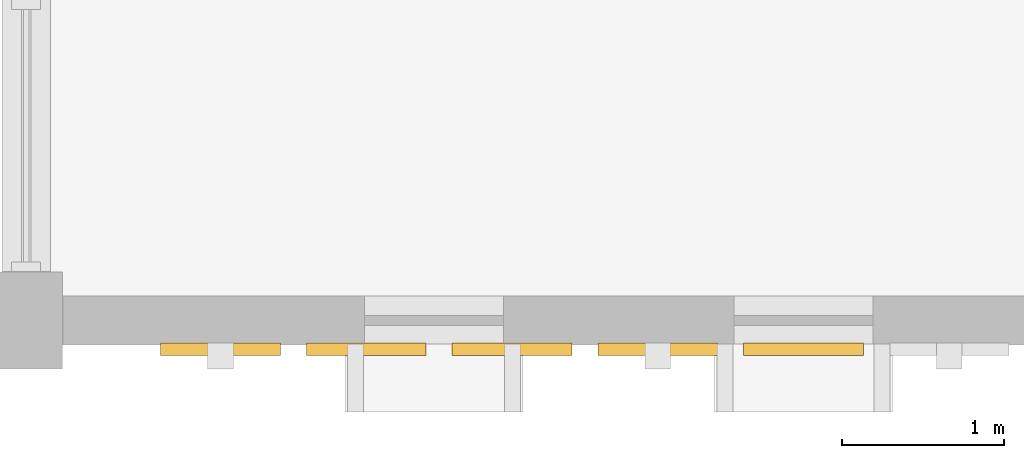
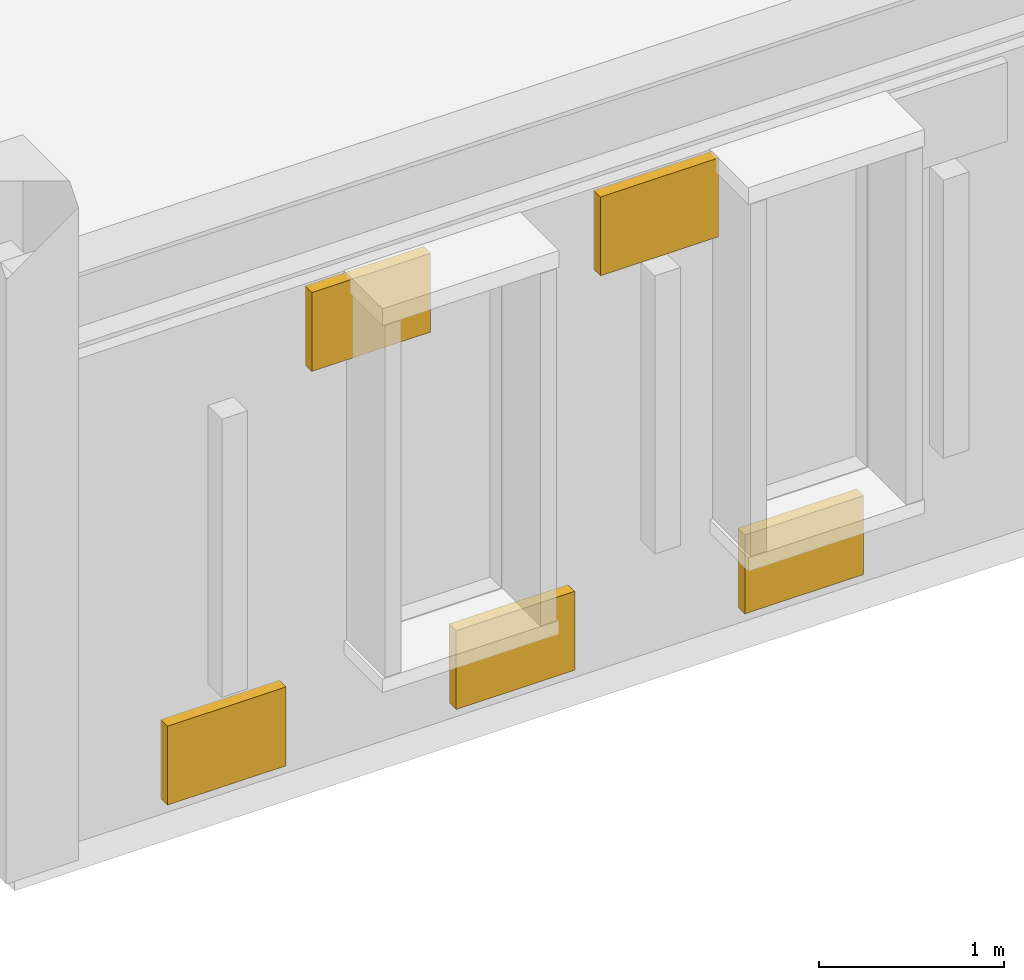
# One storey, part 65 of 69: 5 coverings.
"""IFC4 building model written with IfcOpenShell, lengths in metres."""

from ifc_helpers import new_model, si_unit, direction, frame, origin, origin_2d, place, context, subcontext, project, spatial, rectangle, extrude, material, layer, layer_set, type_object, element, save


model = new_model("IFC4")

# Units and contexts
model_context = context("Model", 3, precision=1e-05, world=origin(), true_north=direction((0.0, 1.0)))
body_context = subcontext(model_context, "Body", "Model", "MODEL_VIEW")
ifc_project = project(units=[si_unit("LENGTHUNIT", "METRE"), si_unit("AREAUNIT", "SQUARE_METRE"), si_unit("VOLUMEUNIT", "CUBIC_METRE"), si_unit("PLANEANGLEUNIT", "RADIAN"), si_unit("MASSUNIT", "GRAM", prefix="KILO")], contexts=[model_context])

# Site, building, storey
site_placement = place(None, origin())
site = spatial("IfcSite", under=ifc_project, at=site_placement, CompositionType="ELEMENT")
building_placement = place(site_placement, origin())
building = spatial("IfcBuilding", under=site, at=building_placement, Name="Nzembalo Square Collegiate School", CompositionType="ELEMENT")
storey_placement = place(building_placement, frame((0.0, 0.0, 5.10009765625)))
storey = spatial("IfcBuildingStorey", under=building, at=storey_placement, Name="L01", CompositionType="ELEMENT", Elevation=5.10009765625)

# Coverings
ifc_material = material(Name="Glazed cobalt ceramic patterned tile")
ifc_layer = layer(ifc_material, 0.074951171875, Name="Glazed cobalt ceramic patterned tile")
ifc_layer_set = layer_set([ifc_layer], Name="Glazed cobalt ceramic patterned tile")
covering_type = type_object("IfcCoveringType", Name="CL01", PredefinedType="CLADDING", material=ifc_layer_set)
for number, where, z_axis, x_axis, name in (
    (1, (132.0, 8.222412109375, 0.099853515625), (0.0, 0.0, 1.0), (1.0, 0.0, 0.0), "Patterned ceramic tile CL01-X0105-0-0"),
    (2, (132.89990234375, 8.222412109375, 2.643798828125), (0.0, 0.0, 1.0), (1.0, 0.0, 0.0), "Patterned ceramic tile CL01-X0105-1-1"),
    (3, (133.800048828125, 8.222412109375, 0.099853515625), (0.0, 0.0, 1.0), (1.0, 0.0, 0.0), "Patterned ceramic tile CL01-X0105-2-0"),
    (4, (134.699951171875, 8.222412109375, 2.643798828125), (0.0, 0.0, 1.0), (1.0, 0.0, 0.0), "Patterned ceramic tile CL01-X0105-3-1"),
    (5, (135.60009765625, 8.222412109375, 0.099853515625), (0.0, 0.0, 1.0), (1.0, 0.0, 0.0), "Patterned ceramic tile CL01-X0105-4-0"),
):
    element("IfcCovering", number, at=place(storey_placement, frame(where, z_axis=z_axis, x_axis=x_axis)), inside=storey, type_object=covering_type, Name=name, PredefinedType="CLADDING", context=body_context, shape_type="SweptSolid", body=[
        extrude(rectangle(XDim=0.739990234375, YDim=0.074951171875, at=origin_2d()), origin(), (0.0, 0.0, 1.0), 0.52001953125),
    ])

save(model, "model.ifc")
